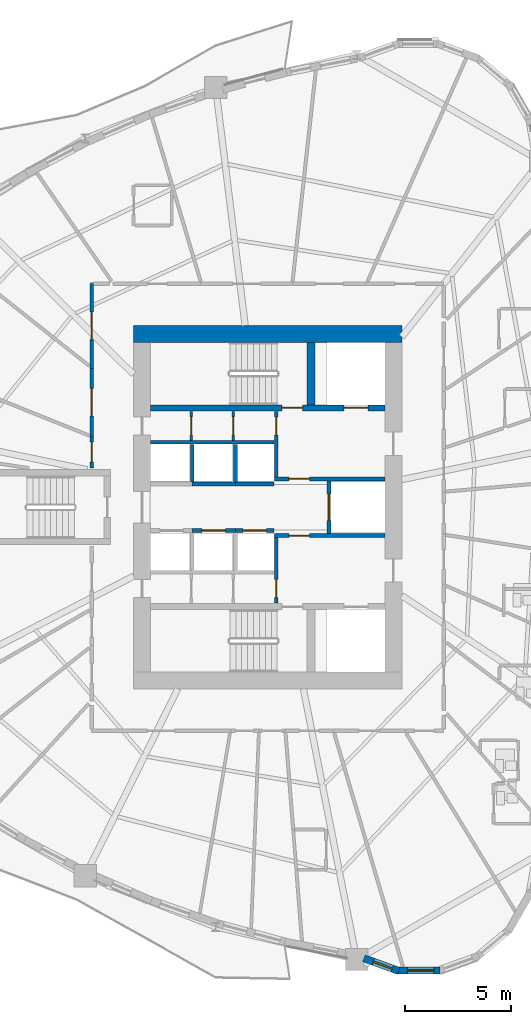
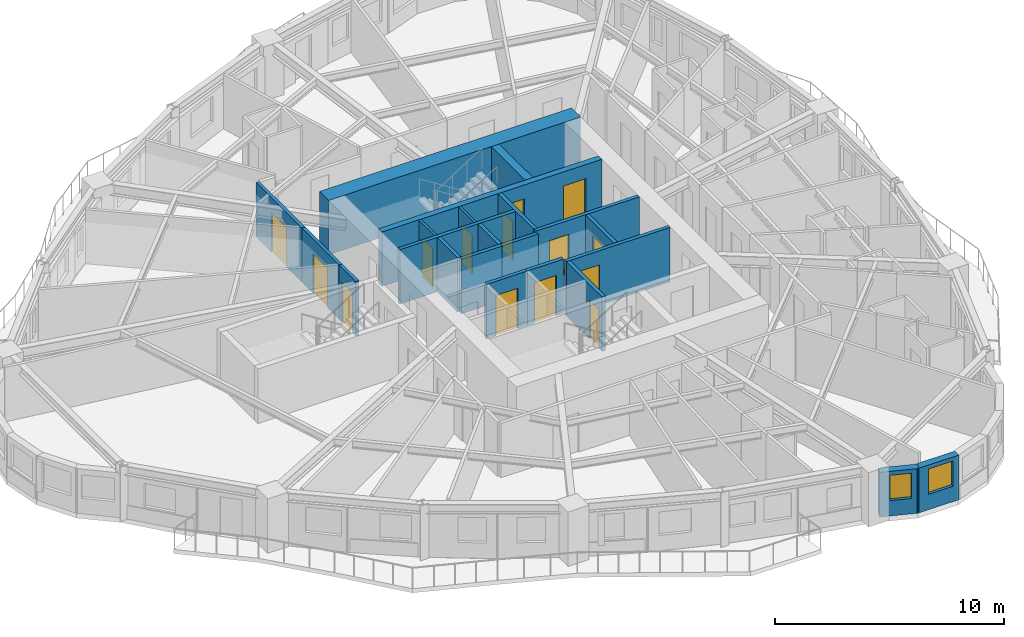
# One storey, part 5 of 13: 22 walls, 14 doors, 2 windows, 16 openings.
"""IFC4 building model written with IfcOpenShell, lengths in metres."""

from ifc_helpers import new_model, si_unit, direction, frame, frame_2d, origin, place, context, subcontext, project, spatial, rectangle, extrude, source, transform, mapped, material, layer, layer_set, type_object, element, fill, save


model = new_model("IFC4")

# Units and contexts
model_context = context("Model", 3, precision=1e-05, world=origin(), true_north=direction((0.0, 1.0)))
body_context = subcontext(model_context, "Body", "Model", "MODEL_VIEW")
ifc_project = project(units=[si_unit("LENGTHUNIT", "METRE"), si_unit("AREAUNIT", "SQUARE_METRE"), si_unit("VOLUMEUNIT", "CUBIC_METRE"), si_unit("PLANEANGLEUNIT", "RADIAN"), si_unit("MASSUNIT", "GRAM", prefix="KILO")], contexts=[model_context])

# Site, building, storey
site_placement = place(None, origin())
site = spatial("IfcSite", under=ifc_project, at=site_placement, CompositionType="ELEMENT")
building_placement = place(site_placement, origin())
building = spatial("IfcBuilding", under=site, at=building_placement, Name="Qafzar Sky-Pleat Residences", CompositionType="ELEMENT")
storey_placement = place(building_placement, frame((0.0, 0.0, 62.199951171875)))
storey = spatial("IfcBuildingStorey", under=building, at=storey_placement, Name="L18", CompositionType="ELEMENT", Elevation=62.199951171875)

# Wall, opening, door
ifc_material_1 = material(Name="Acoustic gypsum plasterboard partition", Category="gypsum")
ifc_layer_1 = layer(ifc_material_1, 0.159912109375)
ifc_layer_set_1 = layer_set([ifc_layer_1], Name="Acoustic gypsum plasterboard partition")
wall_type_1 = type_object("IfcWallType", Name="PART-COR-160", PredefinedType="PARTITIONING", material=ifc_layer_set_1)
wall_1_placement = place(storey_placement, frame((22.02001953125, 32.577880859375, 0.0), z_axis=(0.0, 0.0, 1.0), x_axis=(0.0, 1.0, 0.0)))
wall_1 = element("IfcWall", 1, at=wall_1_placement, inside=storey, type_object=wall_type_1, Name="L18 Partition Wall PART-L18-PW-004", PredefinedType="PARTITIONING", context=body_context, shape_type="SweptSolid", body=[
    extrude(rectangle(XDim=4.002197265625, YDim=0.159912109375, at=frame_2d((2.0009765625, 0.0))), origin(), (0.0, 0.0, 1.0), 2.900146484375),
])
opening_1_placement = place(wall_1_placement, frame((1.360595703125, 0.0, 0.0)))
opening_1 = element("IfcOpeningElement", 2, at=opening_1_placement, cuts=wall_1, Name="Opening ID-05", PredefinedType="OPENING", context=body_context, shape_type="SweptSolid", body=[
    extrude(rectangle(XDim=1.300048828125, YDim=2.10009765625, at=frame_2d((0.64990234375, 1.050048828125))), frame((0.0, 0.08984375, 0.0), z_axis=(0.0, -1.0, 0.0), x_axis=(1.0, 0.0, 0.0)), (0.0, 0.0, 1.0), 0.179931640625),
])
ifc_material_2 = material(Name="Timber-faced fire door", Category="wood")
door_type_1 = type_object("IfcDoorType", Name="DR-LNG-1300", OperationType="DOUBLE_DOOR_SINGLE_SWING", PredefinedType="DOOR", material=ifc_material_2)
shared_shape_1 = source(origin(), body_context, "Body", "SweptSolid", [
    extrude(rectangle(XDim=1.300048828125, YDim=2.10009765625, at=frame_2d((0.64990234375, 1.050048828125))), frame((0.0, 0.02490234375, 0.0), z_axis=(0.0, -1.0, 0.0), x_axis=(1.0, 0.0, 0.0)), (0.0, 0.0, 1.0), 0.050048828125),
])
door_1_placement = place(opening_1_placement, origin())
door_1 = element("IfcDoor", 3, at=door_1_placement, inside=storey, type_object=door_type_1, Name="L18 Communal Kitchen Door", OperationType="DOUBLE_DOOR_SINGLE_SWING", OverallHeight=2.10009765625, OverallWidth=1.300048828125, PredefinedType="DOOR", context=body_context, shape_type="MappedRepresentation", body=[
    mapped(shared_shape_1, transform((0.0, 0.0, 0.0), x_axis=(1.0, 0.0, 0.0), y_axis=(0.0, 1.0, 0.0), z_axis=(0.0, 0.0, 1.0), scale=1.0)),
])
fill(opening_1, door_1)

wall_2_placement = place(storey_placement, frame((22.02001953125, 29.327880859375, 0.0), z_axis=(0.0, 0.0, 1.0), x_axis=(0.0, 1.0, 0.0)))
wall_2 = element("IfcWall", 4, at=wall_2_placement, inside=storey, type_object=wall_type_1, Name="L18 Partition Wall PART-L18-PW-010", PredefinedType="PARTITIONING", context=body_context, shape_type="SweptSolid", body=[
    extrude(rectangle(XDim=3.235107421875, YDim=0.159912109375, at=frame_2d((1.61767578125, 0.0))), origin(), (0.0, 0.0, 1.0), 2.900146484375),
])
opening_2_placement = place(wall_2_placement, frame((0.992431640625, 0.0, 0.0)))
opening_2 = element("IfcOpeningElement", 5, at=opening_2_placement, cuts=wall_2, Name="Opening ID-05", PredefinedType="OPENING", context=body_context, shape_type="SweptSolid", body=[
    extrude(rectangle(XDim=1.300048828125, YDim=2.10009765625, at=frame_2d((0.64990234375, 1.050048828125))), frame((0.0, 0.08984375, 0.0), z_axis=(0.0, -1.0, 0.0), x_axis=(1.0, 0.0, 0.0)), (0.0, 0.0, 1.0), 0.179931640625),
])
door_2_placement = place(opening_2_placement, origin())
door_2 = element("IfcDoor", 6, at=door_2_placement, inside=storey, type_object=door_type_1, Name="L18 Co-Living Lounge Door", OperationType="DOUBLE_DOOR_SINGLE_SWING", OverallHeight=2.10009765625, OverallWidth=1.300048828125, PredefinedType="DOOR", context=body_context, shape_type="MappedRepresentation", body=[
    mapped(shared_shape_1, transform((0.0, 0.0, 0.0), x_axis=(1.0, 0.0, 0.0), y_axis=(0.0, 1.0, 0.0), z_axis=(0.0, 0.0, 1.0), scale=1.0)),
])
fill(opening_2, door_2)

wall_3_placement = place(storey_placement, frame((22.02001953125, 27.85009765625, 0.0), z_axis=(0.0, 0.0, 1.0), x_axis=(0.0, 1.0, 0.0)))
wall_3 = element("IfcWall", 7, at=wall_3_placement, inside=storey, type_object=wall_type_1, Name="L18 Partition Wall PART-L18-PW-029", PredefinedType="PARTITIONING", context=body_context, shape_type="SweptSolid", body=[
    extrude(rectangle(XDim=1.462890625, YDim=0.159912109375, at=frame_2d((0.7314453125, 0.0))), origin(), (0.0, 0.0, 1.0), 2.900146484375),
])
opening_3_placement = place(wall_3_placement, frame((0.282958984375, 0.0, 0.0)))
opening_3 = element("IfcOpeningElement", 8, at=opening_3_placement, cuts=wall_3, Name="Opening ID-06", PredefinedType="OPENING", context=body_context, shape_type="SweptSolid", body=[
    extrude(rectangle(XDim=0.9599609375, YDim=2.10009765625, at=frame_2d((0.47998046875, 1.050048828125))), frame((0.0, 0.08984375, 0.0), z_axis=(0.0, -1.0, 0.0), x_axis=(1.0, 0.0, 0.0)), (0.0, 0.0, 1.0), 0.179931640625),
])
door_type_2 = type_object("IfcDoorType", Name="DR-STD-960", OperationType="NOTDEFINED", PredefinedType="DOOR", material=ifc_material_2)
shared_shape_2 = source(origin(), body_context, "Body", "SweptSolid", [
    extrude(rectangle(XDim=0.9599609375, YDim=2.10009765625, at=frame_2d((0.47998046875, 1.050048828125))), frame((0.0, 0.02490234375, 0.0), z_axis=(0.0, -1.0, 0.0), x_axis=(1.0, 0.0, 0.0)), (0.0, 0.0, 1.0), 0.050048828125),
])
door_3_placement = place(opening_3_placement, origin())
door_3 = element("IfcDoor", 9, at=door_3_placement, inside=storey, type_object=door_type_2, Name="L18 Faculty Research Office Door", OperationType="SINGLE_SWING_LEFT", OverallHeight=2.10009765625, OverallWidth=0.9599609375, PredefinedType="DOOR", context=body_context, shape_type="MappedRepresentation", body=[
    mapped(shared_shape_2, transform((0.0, 0.0, 0.0), x_axis=(1.0, 0.0, 0.0), y_axis=(0.0, 1.0, 0.0), z_axis=(0.0, 0.0, 1.0), scale=1.0)),
])
fill(opening_3, door_3)

ifc_material_3 = material(Name="Concrete blockwork partition", Category="masonry")
ifc_layer_2 = layer(ifc_material_3, 0.179931640625)
ifc_layer_set_2 = layer_set([ifc_layer_2], Name="Concrete blockwork partition")
wall_type_2 = type_object("IfcWallType", Name="PART-SHAFT-180", PredefinedType="PARTITIONING", material=ifc_layer_set_2)
wall_4_placement = place(storey_placement, frame((30.75, 21.4599609375, 0.0), z_axis=(0.0, 0.0, 1.0), x_axis=(0.0, 1.0, 0.0)))
wall_4 = element("IfcWall", 10, at=wall_4_placement, inside=storey, type_object=wall_type_2, Name="L18 Partition Wall PART-L18-FFL1-W", PredefinedType="PARTITIONING", context=body_context, shape_type="SweptSolid", body=[
    extrude(rectangle(XDim=3.110107421875, YDim=0.179931640625, at=frame_2d((1.55517578125, 0.0))), origin(), (0.0, 0.0, 1.0), 2.900146484375),
])
opening_4_placement = place(wall_4_placement, frame((0.260009765625, 0.0, 0.0)))
opening_4 = element("IfcOpeningElement", 11, at=opening_4_placement, cuts=wall_4, Name="Opening ID-09", PredefinedType="OPENING", context=body_context, shape_type="SweptSolid", body=[
    extrude(rectangle(XDim=0.860107421875, YDim=2.050048828125, at=frame_2d((0.43017578125, 1.02490234375))), frame((0.0, 0.10009765625, 0.0), z_axis=(0.0, -1.0, 0.0), x_axis=(1.0, 0.0, 0.0)), (0.0, 0.0, 1.0), 0.199951171875),
])
door_type_3 = type_object("IfcDoorType", Name="DR-SVC-860", OperationType="NOTDEFINED", PredefinedType="DOOR", material=ifc_material_2)
shared_shape_3 = source(origin(), body_context, "Body", "SweptSolid", [
    extrude(rectangle(XDim=0.860107421875, YDim=2.050048828125, at=frame_2d((0.43017578125, 1.02490234375))), frame((0.0, 0.02490234375, 0.0), z_axis=(0.0, -1.0, 0.0), x_axis=(1.0, 0.0, 0.0)), (0.0, 0.0, 1.0), 0.050048828125),
])
door_4_placement = place(opening_4_placement, origin())
door_4 = element("IfcDoor", 12, at=door_4_placement, inside=storey, type_object=door_type_3, Name="L18 South Core Cupboard Door", OperationType="SINGLE_SWING_LEFT", OverallHeight=2.050048828125, OverallWidth=0.860107421875, PredefinedType="DOOR", context=body_context, shape_type="MappedRepresentation", body=[
    mapped(shared_shape_3, transform((0.0, 0.0, 0.0), x_axis=(1.0, 0.0, 0.0), y_axis=(0.0, 1.0, 0.0), z_axis=(0.0, 0.0, 1.0), scale=1.0)),
])
fill(opening_4, door_4)

wall_5_placement = place(storey_placement, frame((30.669921875, 24.659912109375, 0.0), z_axis=(0.0, 0.0, 1.0), x_axis=(1.0, 0.0, 0.0)))
wall_5 = element("IfcWall", 13, at=wall_5_placement, inside=storey, type_object=wall_type_2, Name="L18 Partition Wall PART-L18-FFL1-N", PredefinedType="PARTITIONING", context=body_context, shape_type="SweptSolid", body=[
    extrude(rectangle(XDim=5.219970703125, YDim=0.179931640625, at=frame_2d((2.60986328125, 0.0))), origin(), (0.0, 0.0, 1.0), 2.900146484375),
])
opening_5_placement = place(wall_5_placement, frame((0.679931640625, 0.0, 0.0)))
opening_5 = element("IfcOpeningElement", 14, at=opening_5_placement, cuts=wall_5, Name="Opening ID-01", PredefinedType="OPENING", context=body_context, shape_type="SweptSolid", body=[
    extrude(rectangle(XDim=0.97998046875, YDim=2.14990234375, at=frame_2d((0.489990234375, 1.074951171875))), frame((0.0, 0.10009765625, 0.0), z_axis=(0.0, -1.0, 0.0), x_axis=(1.0, 0.0, 0.0)), (0.0, 0.0, 1.0), 0.199951171875),
])
door_type_4 = type_object("IfcDoorType", Name="DR-STAIR-980", OperationType="NOTDEFINED", PredefinedType="DOOR", material=ifc_material_2)
shared_shape_4 = source(origin(), body_context, "Body", "SweptSolid", [
    extrude(rectangle(XDim=0.97998046875, YDim=2.14990234375, at=frame_2d((0.489990234375, 1.074951171875))), frame((0.0, 0.02490234375, 0.0), z_axis=(0.0, -1.0, 0.0), x_axis=(1.0, 0.0, 0.0)), (0.0, 0.0, 1.0), 0.050048828125),
])
door_5_placement = place(opening_5_placement, origin())
door_5 = element("IfcDoor", 15, at=door_5_placement, inside=storey, type_object=door_type_4, Name="L18 Lift Lobby to South Firefighting Lobby Door", OperationType="SINGLE_SWING_RIGHT", OverallHeight=2.14990234375, OverallWidth=0.97998046875, PredefinedType="DOOR", context=body_context, shape_type="MappedRepresentation", body=[
    mapped(shared_shape_4, transform((0.0, 0.0, 0.0), x_axis=(1.0, 0.0, 0.0), y_axis=(0.0, 1.0, 0.0), z_axis=(0.0, 0.0, 1.0), scale=1.0)),
])
fill(opening_5, door_5)

wall_6_placement = place(storey_placement, frame((30.75, 27.429931640625, 0.0), z_axis=(0.0, 0.0, 1.0), x_axis=(0.0, 1.0, 0.0)))
wall_6 = element("IfcWall", 16, at=wall_6_placement, inside=storey, type_object=wall_type_2, Name="L18 Partition Wall PART-L18-FFL2-W", PredefinedType="PARTITIONING", context=body_context, shape_type="SweptSolid", body=[
    extrude(rectangle(XDim=3.110107421875, YDim=0.179931640625, at=frame_2d((1.55517578125, 0.0))), origin(), (0.0, 0.0, 1.0), 2.900146484375),
])
opening_6_placement = place(wall_6_placement, frame((1.97998046875, 0.0, 0.0)))
opening_6 = element("IfcOpeningElement", 17, at=opening_6_placement, cuts=wall_6, Name="Opening ID-09", PredefinedType="OPENING", context=body_context, shape_type="SweptSolid", body=[
    extrude(rectangle(XDim=0.860107421875, YDim=2.050048828125, at=frame_2d((0.43017578125, 1.02490234375))), frame((0.0, 0.10009765625, 0.0), z_axis=(0.0, -1.0, 0.0), x_axis=(1.0, 0.0, 0.0)), (0.0, 0.0, 1.0), 0.199951171875),
])
door_6_placement = place(opening_6_placement, origin())
door_6 = element("IfcDoor", 18, at=door_6_placement, inside=storey, type_object=door_type_3, Name="L18 North Core Cupboard Door", OperationType="SINGLE_SWING_LEFT", OverallHeight=2.050048828125, OverallWidth=0.860107421875, PredefinedType="DOOR", context=body_context, shape_type="MappedRepresentation", body=[
    mapped(shared_shape_3, transform((0.0, 0.0, 0.0), x_axis=(1.0, 0.0, 0.0), y_axis=(0.0, 1.0, 0.0), z_axis=(0.0, 0.0, 1.0), scale=1.0)),
])
fill(opening_6, door_6)

wall_7_placement = place(storey_placement, frame((30.669921875, 27.340087890625, 0.0), z_axis=(0.0, 0.0, 1.0), x_axis=(1.0, 0.0, 0.0)))
wall_7 = element("IfcWall", 19, at=wall_7_placement, inside=storey, type_object=wall_type_2, Name="L18 Partition Wall PART-L18-FFL2-S", PredefinedType="PARTITIONING", context=body_context, shape_type="SweptSolid", body=[
    extrude(rectangle(XDim=5.219970703125, YDim=0.179931640625, at=frame_2d((2.60986328125, 0.0))), origin(), (0.0, 0.0, 1.0), 2.900146484375),
])
opening_7_placement = place(wall_7_placement, frame((0.679931640625, 0.0, 0.0)))
opening_7 = element("IfcOpeningElement", 20, at=opening_7_placement, cuts=wall_7, Name="Opening ID-01", PredefinedType="OPENING", context=body_context, shape_type="SweptSolid", body=[
    extrude(rectangle(XDim=0.97998046875, YDim=2.14990234375, at=frame_2d((0.489990234375, 1.074951171875))), frame((0.0, 0.10009765625, 0.0), z_axis=(0.0, -1.0, 0.0), x_axis=(1.0, 0.0, 0.0)), (0.0, 0.0, 1.0), 0.199951171875),
])
door_7_placement = place(opening_7_placement, origin())
door_7 = element("IfcDoor", 21, at=door_7_placement, inside=storey, type_object=door_type_4, Name="L18 Lift Lobby to North Firefighting Lobby Door", OperationType="SINGLE_SWING_RIGHT", OverallHeight=2.14990234375, OverallWidth=0.97998046875, PredefinedType="DOOR", context=body_context, shape_type="MappedRepresentation", body=[
    mapped(shared_shape_4, transform((0.0, 0.0, 0.0), x_axis=(1.0, 0.0, 0.0), y_axis=(0.0, 1.0, 0.0), z_axis=(0.0, 0.0, 1.0), scale=1.0)),
])
fill(opening_7, door_7)

wall_8_placement = place(storey_placement, frame((33.25, 24.760009765625, 0.0), z_axis=(0.0, 0.0, 1.0), x_axis=(0.0, 1.0, 0.0)))
wall_8 = element("IfcWall", 22, at=wall_8_placement, inside=storey, type_object=wall_type_2, Name="L18 Partition Wall PART-L18-SV1-W", PredefinedType="PARTITIONING", context=body_context, shape_type="SweptSolid", body=[
    extrude(rectangle(XDim=2.47998046875, YDim=0.179931640625, at=frame_2d((1.239990234375, 0.0))), origin(), (0.0, 0.0, 1.0), 2.900146484375),
])
opening_8_placement = place(wall_8_placement, frame((0.614990234375, 0.0, 0.0)))
opening_8 = element("IfcOpeningElement", 23, at=opening_8_placement, cuts=wall_8, Name="Opening LD-03", PredefinedType="OPENING", context=body_context, shape_type="SweptSolid", body=[
    extrude(rectangle(XDim=1.25, YDim=2.14990234375, at=frame_2d((0.625, 1.074951171875))), frame((0.0, 0.10009765625, 0.0), z_axis=(0.0, -1.0, 0.0), x_axis=(1.0, 0.0, 0.0)), (0.0, 0.0, 1.0), 0.199951171875),
])
ifc_material_4 = material(Name="Stainless steel sliding landing door", Category="steel")
door_type_5 = type_object("IfcDoorType", Name="DR-LIFT-SV", OperationType="DOUBLE_DOOR_SLIDING", PredefinedType="DOOR", material=ifc_material_4)
shared_shape_5 = source(origin(), body_context, "Body", "SweptSolid", [
    extrude(rectangle(XDim=1.25, YDim=2.14990234375, at=frame_2d((0.625, 1.074951171875))), frame((0.0, 0.02490234375, 0.0), z_axis=(0.0, -1.0, 0.0), x_axis=(1.0, 0.0, 0.0)), (0.0, 0.0, 1.0), 0.050048828125),
])
door_8_placement = place(opening_8_placement, origin())
door_8 = element("IfcDoor", 24, at=door_8_placement, inside=storey, type_object=door_type_5, Name="L18 Service Lift SV1 Landing Door", OperationType="DOUBLE_DOOR_SLIDING", OverallHeight=2.14990234375, OverallWidth=1.25, PredefinedType="DOOR", context=body_context, shape_type="MappedRepresentation", body=[
    mapped(shared_shape_5, transform((0.0, 0.0, 0.0), x_axis=(1.0, 0.0, 0.0), y_axis=(0.0, 1.0, 0.0), z_axis=(0.0, 0.0, 1.0), scale=1.0)),
])
fill(opening_8, door_8)

wall_9_placement = place(storey_placement, frame((26.77490234375, 24.89990234375, 0.0), z_axis=(0.0, 0.0, 1.0), x_axis=(1.0, 0.0, 0.0)))
wall_9 = element("IfcWall", 25, at=wall_9_placement, inside=storey, type_object=wall_type_2, Name="L18 Partition Wall PART-L18-P2-N", PredefinedType="PARTITIONING", context=body_context, shape_type="SweptSolid", body=[
    extrude(rectangle(XDim=2.050048828125, YDim=0.179931640625, at=frame_2d((1.02490234375, 0.0))), origin(), (0.0, 0.0, 1.0), 2.900146484375),
])
opening_9_placement = place(wall_9_placement, frame((0.47509765625, 0.0, 0.0)))
opening_9 = element("IfcOpeningElement", 26, at=opening_9_placement, cuts=wall_9, Name="Opening LD-01", PredefinedType="OPENING", context=body_context, shape_type="SweptSolid", body=[
    extrude(rectangle(XDim=1.10009765625, YDim=2.14990234375, at=frame_2d((0.550048828125, 1.074951171875))), frame((0.0, 0.10009765625, 0.0), z_axis=(0.0, -1.0, 0.0), x_axis=(1.0, 0.0, 0.0)), (0.0, 0.0, 1.0), 0.199951171875),
])
door_type_6 = type_object("IfcDoorType", Name="DR-LIFT-P", OperationType="DOUBLE_DOOR_SLIDING", PredefinedType="DOOR", material=ifc_material_4)
shared_shape_6 = source(origin(), body_context, "Body", "SweptSolid", [
    extrude(rectangle(XDim=1.10009765625, YDim=2.14990234375, at=frame_2d((0.550048828125, 1.074951171875))), frame((0.0, 0.02490234375, 0.0), z_axis=(0.0, -1.0, 0.0), x_axis=(1.0, 0.0, 0.0)), (0.0, 0.0, 1.0), 0.050048828125),
])
door_9_placement = place(opening_9_placement, origin())
door_9 = element("IfcDoor", 27, at=door_9_placement, inside=storey, type_object=door_type_6, Name="L18 Passenger Lift P2 Landing Door", OperationType="DOUBLE_DOOR_SLIDING", OverallHeight=2.14990234375, OverallWidth=1.10009765625, PredefinedType="DOOR", context=body_context, shape_type="MappedRepresentation", body=[
    mapped(shared_shape_6, transform((0.0, 0.0, 0.0), x_axis=(1.0, 0.0, 0.0), y_axis=(0.0, 1.0, 0.0), z_axis=(0.0, 0.0, 1.0), scale=1.0)),
])
fill(opening_9, door_9)

wall_10_placement = place(storey_placement, frame((28.824951171875, 24.89990234375, 0.0), z_axis=(0.0, 0.0, 1.0), x_axis=(1.0, 0.0, 0.0)))
wall_10 = element("IfcWall", 28, at=wall_10_placement, inside=storey, type_object=wall_type_2, Name="L18 Partition Wall PART-L18-P3-N", PredefinedType="PARTITIONING", context=body_context, shape_type="SweptSolid", body=[
    extrude(rectangle(XDim=1.824951171875, YDim=0.179931640625, at=frame_2d((0.91259765625, 0.0))), origin(), (0.0, 0.0, 1.0), 2.900146484375),
])
opening_10_placement = place(wall_10_placement, frame((0.362548828125, 0.0, 0.0)))
opening_10 = element("IfcOpeningElement", 29, at=opening_10_placement, cuts=wall_10, Name="Opening LD-01", PredefinedType="OPENING", context=body_context, shape_type="SweptSolid", body=[
    extrude(rectangle(XDim=1.10009765625, YDim=2.14990234375, at=frame_2d((0.550048828125, 1.074951171875))), frame((0.0, 0.10009765625, 0.0), z_axis=(0.0, -1.0, 0.0), x_axis=(1.0, 0.0, 0.0)), (0.0, 0.0, 1.0), 0.199951171875),
])
door_10_placement = place(opening_10_placement, origin())
door_10 = element("IfcDoor", 30, at=door_10_placement, inside=storey, type_object=door_type_6, Name="L18 Passenger Lift P3 Landing Door", OperationType="DOUBLE_DOOR_SLIDING", OverallHeight=2.14990234375, OverallWidth=1.10009765625, PredefinedType="DOOR", context=body_context, shape_type="MappedRepresentation", body=[
    mapped(shared_shape_6, transform((0.0, 0.0, 0.0), x_axis=(1.0, 0.0, 0.0), y_axis=(0.0, 1.0, 0.0), z_axis=(0.0, 0.0, 1.0), scale=1.0)),
])
fill(opening_10, door_10)

# Walls
wall_11_placement = place(storey_placement, frame((24.81005859375, 29.080078125, 0.0), z_axis=(0.0, 0.0, 1.0), x_axis=(1.0, 0.0, 0.0)))
element("IfcWall", 31, at=wall_11_placement, inside=storey, type_object=wall_type_2, Name="L18 Partition Wall PART-L18-P46-N", PredefinedType="PARTITIONING", context=body_context, shape_type="SweptSolid", body=[
    extrude(rectangle(XDim=5.83984375, YDim=0.179931640625, at=frame_2d((2.919921875, 0.0))), origin(), (0.0, 0.0, 1.0), 2.900146484375),
])
wall_12_placement = place(storey_placement, frame((26.77490234375, 27.10009765625, 0.0), z_axis=(0.0, 0.0, 1.0), x_axis=(1.0, 0.0, 0.0)))
element("IfcWall", 32, at=wall_12_placement, inside=storey, type_object=wall_type_2, Name="L18 Partition Wall PART-L18-P5-S", PredefinedType="PARTITIONING", context=body_context, shape_type="SweptSolid", body=[
    extrude(rectangle(XDim=2.050048828125, YDim=0.179931640625, at=frame_2d((1.02490234375, 0.0))), origin(), (0.0, 0.0, 1.0), 2.900146484375),
])
wall_13_placement = place(storey_placement, frame((26.77490234375, 27.199951171875, 0.0), z_axis=(0.0, 0.0, 1.0), x_axis=(0.0, 1.0, 0.0)))
element("IfcWall", 33, at=wall_13_placement, inside=storey, type_object=wall_type_2, Name="L18 Partition Wall PART-L18-P46-DIV-1", PredefinedType="PARTITIONING", context=body_context, shape_type="SweptSolid", body=[
    extrude(rectangle(XDim=1.780029296875, YDim=0.179931640625, at=frame_2d((0.89013671875, 0.0))), origin(), (0.0, 0.0, 1.0), 2.900146484375),
])
wall_14_placement = place(storey_placement, frame((28.824951171875, 27.10009765625, 0.0), z_axis=(0.0, 0.0, 1.0), x_axis=(1.0, 0.0, 0.0)))
element("IfcWall", 34, at=wall_14_placement, inside=storey, type_object=wall_type_2, Name="L18 Partition Wall PART-L18-P6-S", PredefinedType="PARTITIONING", context=body_context, shape_type="SweptSolid", body=[
    extrude(rectangle(XDim=1.824951171875, YDim=0.179931640625, at=frame_2d((0.91259765625, 0.0))), origin(), (0.0, 0.0, 1.0), 2.900146484375),
])
wall_15_placement = place(storey_placement, frame((28.824951171875, 27.199951171875, 0.0), z_axis=(0.0, 0.0, 1.0), x_axis=(0.0, 1.0, 0.0)))
element("IfcWall", 35, at=wall_15_placement, inside=storey, type_object=wall_type_2, Name="L18 Partition Wall PART-L18-P46-DIV-2", PredefinedType="PARTITIONING", context=body_context, shape_type="SweptSolid", body=[
    extrude(rectangle(XDim=1.780029296875, YDim=0.179931640625, at=frame_2d((0.89013671875, 0.0))), origin(), (0.0, 0.0, 1.0), 2.900146484375),
])

# Wall, opening, door
ifc_material_5 = material(Name="Gypsum plasterboard partition", Category="gypsum")
ifc_layer_3 = layer(ifc_material_5, 0.114990234375)
ifc_layer_set_3 = layer_set([ifc_layer_3], Name="Gypsum plasterboard partition")
wall_type_3 = type_object("IfcWallType", Name="PART-SVC-115", PredefinedType="PARTITIONING", material=ifc_layer_set_3)
wall_16_placement = place(storey_placement, frame((26.72509765625, 29.159912109375, 0.0), z_axis=(0.0, 0.0, 1.0), x_axis=(0.0, 1.0, 0.0)))
wall_16 = element("IfcWall", 36, at=wall_16_placement, inside=storey, type_object=wall_type_3, Name="L18 Partition Wall PART-L18-KC-NW-1", PredefinedType="PARTITIONING", context=body_context, shape_type="SweptSolid", body=[
    extrude(rectangle(XDim=1.380126953125, YDim=0.114990234375, at=frame_2d((0.68994140625, 0.0))), origin(), (0.0, 0.0, 1.0), 2.900146484375),
])
opening_11_placement = place(wall_16_placement, frame((0.260009765625, 0.0, 0.0)))
opening_11 = element("IfcOpeningElement", 37, at=opening_11_placement, cuts=wall_16, Name="Opening ID-09", PredefinedType="OPENING", context=body_context, shape_type="SweptSolid", body=[
    extrude(rectangle(XDim=0.860107421875, YDim=2.050048828125, at=frame_2d((0.43017578125, 1.02490234375))), frame((0.0, 0.0673828125, 0.0), z_axis=(0.0, -1.0, 0.0), x_axis=(1.0, 0.0, 0.0)), (0.0, 0.0, 1.0), 0.135009765625),
])
door_11_placement = place(opening_11_placement, origin())
door_11 = element("IfcDoor", 38, at=door_11_placement, inside=storey, type_object=door_type_3, Name="L18 Core North Cupboard 1 Door", OperationType="SINGLE_SWING_RIGHT", OverallHeight=2.050048828125, OverallWidth=0.860107421875, PredefinedType="DOOR", context=body_context, shape_type="MappedRepresentation", body=[
    mapped(shared_shape_3, transform((0.0, 0.0, 0.0), x_axis=(1.0, 0.0, 0.0), y_axis=(0.0, 1.0, 0.0), z_axis=(0.0, 0.0, 1.0), scale=1.0)),
])
fill(opening_11, door_11)

wall_17_placement = place(storey_placement, frame((28.72509765625, 29.159912109375, 0.0), z_axis=(0.0, 0.0, 1.0), x_axis=(0.0, 1.0, 0.0)))
wall_17 = element("IfcWall", 39, at=wall_17_placement, inside=storey, type_object=wall_type_3, Name="L18 Partition Wall PART-L18-KC-NW-2", PredefinedType="PARTITIONING", context=body_context, shape_type="SweptSolid", body=[
    extrude(rectangle(XDim=1.380126953125, YDim=0.114990234375, at=frame_2d((0.68994140625, 0.0))), origin(), (0.0, 0.0, 1.0), 2.900146484375),
])
opening_12_placement = place(wall_17_placement, frame((0.260009765625, 0.0, 0.0)))
opening_12 = element("IfcOpeningElement", 40, at=opening_12_placement, cuts=wall_17, Name="Opening ID-09", PredefinedType="OPENING", context=body_context, shape_type="SweptSolid", body=[
    extrude(rectangle(XDim=0.860107421875, YDim=2.050048828125, at=frame_2d((0.43017578125, 1.02490234375))), frame((0.0, 0.0673828125, 0.0), z_axis=(0.0, -1.0, 0.0), x_axis=(1.0, 0.0, 0.0)), (0.0, 0.0, 1.0), 0.135009765625),
])
door_12_placement = place(opening_12_placement, origin())
door_12 = element("IfcDoor", 41, at=door_12_placement, inside=storey, type_object=door_type_3, Name="L18 Core North Cupboard 2 Door", OperationType="SINGLE_SWING_RIGHT", OverallHeight=2.050048828125, OverallWidth=0.860107421875, PredefinedType="DOOR", context=body_context, shape_type="MappedRepresentation", body=[
    mapped(shared_shape_3, transform((0.0, 0.0, 0.0), x_axis=(1.0, 0.0, 0.0), y_axis=(0.0, 1.0, 0.0), z_axis=(0.0, 0.0, 1.0), scale=1.0)),
])
fill(opening_12, door_12)

# Wall, opening, window
ifc_material_6 = material(Name="Precast concrete C40/50 with honed Riyadh limestone", Category="concrete")
ifc_layer_4 = layer(ifc_material_6, 0.35009765625)
ifc_layer_set_4 = layer_set([ifc_layer_4], Name="Precast concrete C40/50 with honed Riyadh limestone")
wall_type_4 = type_object("IfcWallType", Name="WALL-EXT-350", PredefinedType="SOLIDWALL", material=ifc_layer_set_4)
wall_18_placement = place(storey_placement, frame((34.904296875, 4.6494140625, 0.0), z_axis=(0.0, 0.0, 1.0), x_axis=(0.939675390388, -0.342067479745, 0.0)))
wall_18 = element("IfcWall", 42, at=wall_18_placement, inside=storey, type_object=wall_type_4, Name="L18 Limestone Facade Wall 17", PredefinedType="SOLIDWALL", context=body_context, shape_type="SweptSolid", body=[
    extrude(rectangle(XDim=1.752197265625, YDim=0.35009765625, at=frame_2d((0.8759765625, 0.0))), origin(), (0.0, 0.0, 1.0), 2.380126953125),
])
opening_13_placement = place(wall_18_placement, frame((0.47607421875, 0.0, 0.820068359375)))
opening_13 = element("IfcOpeningElement", 43, at=opening_13_placement, cuts=wall_18, Name="Opening WN-12", PredefinedType="OPENING", context=body_context, shape_type="SweptSolid", body=[
    extrude(rectangle(XDim=0.949951171875, YDim=1.35009765625, at=frame_2d((0.47509765625, 0.675048828125))), frame((0.0, 0.18505859375, 0.0), z_axis=(0.0, -1.0, 0.0), x_axis=(1.0, 0.0, 0.0)), (0.0, 0.0, 1.0), 0.3701171875),
])
ifc_material_7 = material(Name="Solar-control low-E glass in bronze aluminium frame", Category="glass")
window_type_1 = type_object("IfcWindowType", Name="WIN-12", PartitioningType="SINGLE_PANEL", PredefinedType="WINDOW", material=ifc_material_7)
shared_shape_7 = source(origin(), body_context, "Body", "SweptSolid", [
    extrude(rectangle(XDim=0.949951171875, YDim=1.35009765625, at=frame_2d((0.47509765625, 0.675048828125))), frame((0.0, 0.030029296875, 0.0), z_axis=(0.0, -1.0, 0.0), x_axis=(1.0, 0.0, 0.0)), (0.0, 0.0, 1.0), 0.06005859375),
])
window_1_placement = place(opening_13_placement, origin())
window_1 = element("IfcWindow", 44, at=window_1_placement, inside=storey, type_object=window_type_1, Name="L18 Punched Facade Window 17", OverallHeight=1.35009765625, OverallWidth=0.949951171875, PartitioningType="SINGLE_PANEL", PredefinedType="WINDOW", context=body_context, shape_type="MappedRepresentation", body=[
    mapped(shared_shape_7, transform((0.0, 0.0, 0.0), x_axis=(1.0, 0.0, 0.0), y_axis=(0.0, 1.0, 0.0), z_axis=(0.0, 0.0, 1.0), scale=1.0)),
])
fill(opening_13, window_1)

wall_19_placement = place(storey_placement, frame((36.417236328125, 4.073486328125, 0.0), z_axis=(0.0, 0.0, 1.0), x_axis=(1.0, 0.0, 0.0)))
wall_19 = element("IfcWall", 45, at=wall_19_placement, inside=storey, type_object=wall_type_4, Name="L18 Limestone Facade Wall 18", PredefinedType="SOLIDWALL", context=body_context, shape_type="SweptSolid", body=[
    extrude(rectangle(XDim=2.090576171875, YDim=0.35009765625, at=frame_2d((1.04541015625, 0.0))), origin(), (0.0, 0.0, 1.0), 2.380126953125),
])
opening_14_placement = place(wall_19_placement, frame((0.549072265625, 0.0, 0.820068359375)))
opening_14 = element("IfcOpeningElement", 46, at=opening_14_placement, cuts=wall_19, Name="Opening WN-11", PredefinedType="OPENING", context=body_context, shape_type="SweptSolid", body=[
    extrude(rectangle(XDim=1.25, YDim=1.35009765625, at=frame_2d((0.625, 0.675048828125))), frame((0.0, 0.18505859375, 0.0), z_axis=(0.0, -1.0, 0.0), x_axis=(1.0, 0.0, 0.0)), (0.0, 0.0, 1.0), 0.3701171875),
])
window_type_2 = type_object("IfcWindowType", Name="WIN-11", PartitioningType="SINGLE_PANEL", PredefinedType="WINDOW", material=ifc_material_7)
shared_shape_8 = source(origin(), body_context, "Body", "SweptSolid", [
    extrude(rectangle(XDim=1.25, YDim=1.35009765625, at=frame_2d((0.625, 0.675048828125))), frame((0.0, 0.030029296875, 0.0), z_axis=(0.0, -1.0, 0.0), x_axis=(1.0, 0.0, 0.0)), (0.0, 0.0, 1.0), 0.06005859375),
])
window_2_placement = place(opening_14_placement, origin())
window_2 = element("IfcWindow", 47, at=window_2_placement, inside=storey, type_object=window_type_2, Name="L18 Punched Facade Window 18", OverallHeight=1.35009765625, OverallWidth=1.25, PartitioningType="SINGLE_PANEL", PredefinedType="WINDOW", context=body_context, shape_type="MappedRepresentation", body=[
    mapped(shared_shape_8, transform((0.0, 0.0, 0.0), x_axis=(1.0, 0.0, 0.0), y_axis=(0.0, 1.0, 0.0), z_axis=(0.0, 0.0, 1.0), scale=1.0)),
])
fill(opening_14, window_2)

# Wall, openings, doors
ifc_material_8 = material(Name="Concrete C60/75", Category="concrete")
ifc_layer_5 = layer(ifc_material_8, 0.300048828125)
ifc_layer_set_5 = layer_set([ifc_layer_5], Name="Concrete C60/75")
wall_type_5 = type_object("IfcWallType", Name="WALL-SHEAR-300", PredefinedType="SHEAR", material=ifc_layer_set_5)
wall_20_placement = place(storey_placement, frame((24.800048828125, 30.699951171875, 0.0), z_axis=(0.0, 0.0, 1.0), x_axis=(1.0, 0.0, 0.0)))
wall_20 = element("IfcWall", 48, at=wall_20_placement, inside=storey, type_object=wall_type_5, Name="L18 Stair ST2 and FF2 Shaft South Wall", PredefinedType="SHEAR", context=body_context, shape_type="SweptSolid", body=[
    extrude(rectangle(XDim=11.099853515625, YDim=0.300048828125, at=frame_2d((5.5498046875, 0.0))), origin(), (0.0, 0.0, 1.0), 2.900146484375),
])
opening_15_placement = place(wall_20_placement, frame((6.219970703125, 0.0, 0.0)))
opening_15 = element("IfcOpeningElement", 49, at=opening_15_placement, cuts=wall_20, Name="Opening ID-01", PredefinedType="OPENING", context=body_context, shape_type="SweptSolid", body=[
    extrude(rectangle(XDim=0.97998046875, YDim=2.14990234375, at=frame_2d((0.489990234375, 1.074951171875))), frame((0.0, 0.16015625, 0.0), z_axis=(0.0, -1.0, 0.0), x_axis=(1.0, 0.0, 0.0)), (0.0, 0.0, 1.0), 0.320068359375),
])
opening_16_placement = place(wall_20_placement, frame((9.14990234375, 0.0, 0.0)))
opening_16 = element("IfcOpeningElement", 50, at=opening_16_placement, cuts=wall_20, Name="Opening LD-02", PredefinedType="OPENING", context=body_context, shape_type="SweptSolid", body=[
    extrude(rectangle(XDim=1.14990234375, YDim=2.14990234375, at=frame_2d((0.574951171875, 1.074951171875))), frame((0.0, 0.16015625, 0.0), z_axis=(0.0, -1.0, 0.0), x_axis=(1.0, 0.0, 0.0)), (0.0, 0.0, 1.0), 0.320068359375),
])
door_13_placement = place(opening_15_placement, origin())
door_13 = element("IfcDoor", 51, at=door_13_placement, inside=storey, type_object=door_type_4, Name="L18 Stair ST2 Fire Door", OperationType="SINGLE_SWING_LEFT", OverallHeight=2.14990234375, OverallWidth=0.97998046875, PredefinedType="DOOR", context=body_context, shape_type="MappedRepresentation", body=[
    mapped(shared_shape_4, transform((0.0, 0.0, 0.0), x_axis=(1.0, 0.0, 0.0), y_axis=(0.0, 1.0, 0.0), z_axis=(0.0, 0.0, 1.0), scale=1.0)),
])
fill(opening_15, door_13)
door_type_7 = type_object("IfcDoorType", Name="DR-LIFT-FF", OperationType="DOUBLE_DOOR_SLIDING", PredefinedType="DOOR", material=ifc_material_4)
shared_shape_9 = source(origin(), body_context, "Body", "SweptSolid", [
    extrude(rectangle(XDim=1.14990234375, YDim=2.14990234375, at=frame_2d((0.574951171875, 1.074951171875))), frame((0.0, 0.02490234375, 0.0), z_axis=(0.0, -1.0, 0.0), x_axis=(1.0, 0.0, 0.0)), (0.0, 0.0, 1.0), 0.050048828125),
])
door_14_placement = place(opening_16_placement, origin())
door_14 = element("IfcDoor", 52, at=door_14_placement, inside=storey, type_object=door_type_7, Name="L18 Firefighting Lift FF2 Landing Door", OperationType="DOUBLE_DOOR_SLIDING", OverallHeight=2.14990234375, OverallWidth=1.14990234375, PredefinedType="DOOR", context=body_context, shape_type="MappedRepresentation", body=[
    mapped(shared_shape_9, transform((0.0, 0.0, 0.0), x_axis=(1.0, 0.0, 0.0), y_axis=(0.0, 1.0, 0.0), z_axis=(0.0, 0.0, 1.0), scale=1.0)),
])
fill(opening_16, door_14)

# Walls
ifc_layer_6 = layer(ifc_material_8, 0.39990234375)
ifc_layer_set_6 = layer_set([ifc_layer_6], Name="Concrete C60/75")
wall_type_6 = type_object("IfcWallType", Name="WALL-SHEAR-400", PredefinedType="SHEAR", material=ifc_layer_set_6)
wall_21_placement = place(storey_placement, frame((32.39990234375, 30.85009765625, 0.0), z_axis=(0.0, 0.0, 1.0), x_axis=(0.0, 1.0, 0.0)))
element("IfcWall", 53, at=wall_21_placement, inside=storey, type_object=wall_type_6, Name="L18 Stair ST2 East Dividing Wall", PredefinedType="SHEAR", context=body_context, shape_type="SweptSolid", body=[
    extrude(rectangle(XDim=2.949951171875, YDim=0.39990234375, at=frame_2d((1.47509765625, 0.0))), origin(), (0.0, 0.0, 1.0), 2.900146484375),
])
ifc_layer_7 = layer(ifc_material_8, 0.800048828125)
ifc_layer_set_7 = layer_set([ifc_layer_7], Name="Concrete C60/75")
wall_type_7 = type_object("IfcWallType", Name="WALL-SHEAR-800", PredefinedType="SHEAR", material=ifc_layer_set_7)
wall_22_placement = place(storey_placement, frame((36.699951171875, 34.199951171875, 0.0), z_axis=(0.0, 0.0, 1.0), x_axis=(-1.0, 0.0, 0.0)))
element("IfcWall", 54, at=wall_22_placement, inside=storey, type_object=wall_type_7, Name="L18 CORE wall N", PredefinedType="SHEAR", context=body_context, shape_type="SweptSolid", body=[
    extrude(rectangle(XDim=12.699951171875, YDim=0.800048828125, at=frame_2d((6.35009765625, 0.0))), origin(), (0.0, 0.0, 1.0), 2.900146484375),
])

save(model, "model.ifc")
